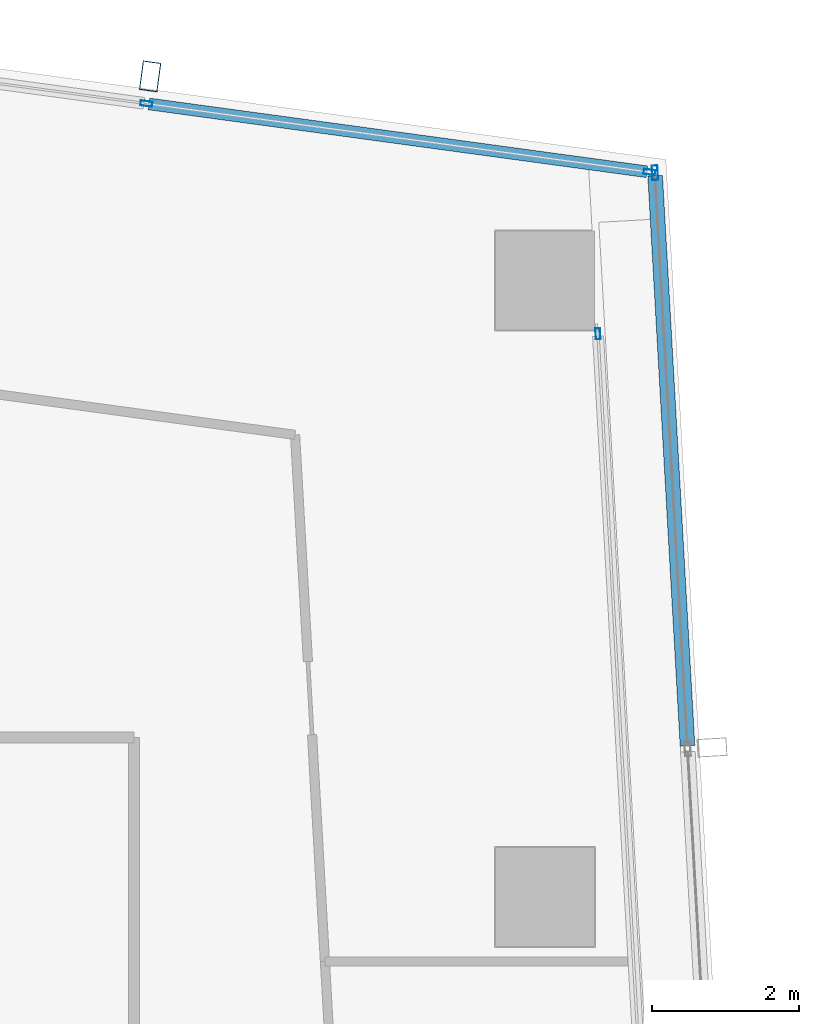
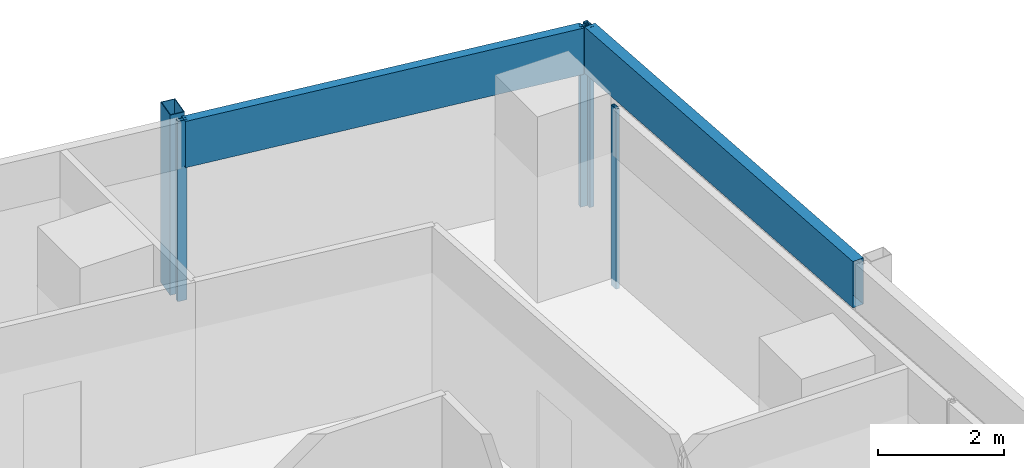
# One storey, part 24 of 38: 7 members, 3 elements without a shape of their own.
"""IFC4 building model written with IfcOpenShell, lengths in metres."""

from ifc_helpers import new_model, si_unit, direction, frame, origin, origin_2d, place, context, subcontext, project, spatial, hollow_rectangle, extrude, material, material_profile, profile_set, type_object, element, aggregate, save


model = new_model("IFC4")

# Units and contexts
model_context = context("Model", 3, precision=1e-05, world=origin(), true_north=direction((0.0, 1.0)))
body_context = subcontext(model_context, "Body", "Model", "MODEL_VIEW")
ifc_project = project(units=[si_unit("LENGTHUNIT", "METRE"), si_unit("AREAUNIT", "SQUARE_METRE"), si_unit("VOLUMEUNIT", "CUBIC_METRE"), si_unit("PLANEANGLEUNIT", "RADIAN"), si_unit("MASSUNIT", "GRAM", prefix="KILO")], contexts=[model_context])

# Site, building, storey
site_placement = place(None, origin())
site = spatial("IfcSite", under=ifc_project, at=site_placement, CompositionType="ELEMENT")
building_placement = place(site_placement, origin())
building = spatial("IfcBuilding", under=site, at=building_placement, Name="Rekha Terrace Tower", CompositionType="ELEMENT")
storey_placement = place(building_placement, frame((0.0, 0.0, 202.699951171875)))
storey = spatial("IfcBuildingStorey", under=building, at=storey_placement, Name="L51", CompositionType="ELEMENT", Elevation=202.699951171875)

# Curtain wall, member
ifc_material_1 = material(Name="Aluminium framing", Category="aluminium")
curtain_wall_type_1 = type_object("IfcCurtainWallType", Name="CW3 north unitised glazing", PredefinedType="USERDEFINED", material=ifc_material_1)
curtain_wall_1_placement = place(storey_placement, origin())
curtain_wall_1 = element("IfcCurtainWall", 1, at=curtain_wall_1_placement, inside=storey, type_object=curtain_wall_type_1, Name="CW3 unitised curtain wall", ObjectType="UNITISED CURTAIN WALL", PredefinedType="USERDEFINED")
ifc_material_2 = material(Name="Steel S355 with fluorocarbon finish", Category="steel")
ifc_material_profile_1 = material_profile(ifc_material_2, hollow_rectangle(XDim=0.25, YDim=0.39990234375, WallThickness=0.012451171875, at=origin_2d()), Name="RHS400x250x12.5")
ifc_profile_set_1 = profile_set([ifc_material_profile_1], Name="Steel S355 with fluorocarbon finish")
member_type_1 = type_object("IfcMemberType", Name="BL1 facade blade RHS 400 x 250", PredefinedType="USERDEFINED", material=ifc_profile_set_1)
member_1_placement = place(storey_placement, frame((53.419921875, 61.583251953125, 0.0), z_axis=(0.0, 0.0, 1.0), x_axis=(-0.990867309488, 0.134840553943, 0.0)))
member_1 = element("IfcMember", 2, at=member_1_placement, type_object=member_type_1, Name="Facade blade", ObjectType="FACADE BLADE", PredefinedType="USERDEFINED", context=body_context, shape_type="SweptSolid", body=[
    extrude(hollow_rectangle(XDim=0.25, YDim=0.39990234375, WallThickness=0.012451171875, at=origin_2d()), origin(), (0.0, 0.0, 1.0), 3.5),
])

curtain_wall_type_2 = type_object("IfcCurtainWallType", Name="CW1 double skin inner glazing", PredefinedType="USERDEFINED", material=ifc_material_1)
curtain_wall_2_placement = place(storey_placement, origin())
curtain_wall_2 = element("IfcCurtainWall", 3, at=curtain_wall_2_placement, inside=storey, type_object=curtain_wall_type_2, Name="CW1 double skin inner glazing", ObjectType="DOUBLE SKIN INNER GLAZING", PredefinedType="USERDEFINED")
ifc_material_3 = material(Name="Aluminium mullion section", Category="aluminium")
ifc_material_profile_2 = material_profile(ifc_material_3, hollow_rectangle(XDim=0.06494140625, YDim=0.14990234375, WallThickness=0.00390625, at=origin_2d()), Name="AL RHS 65x150")
ifc_profile_set_2 = profile_set([ifc_material_profile_2], Name="Aluminium mullion section")
member_type_2 = type_object("IfcMemberType", Name="CW1 mullion RHS 65 x 150", PredefinedType="MULLION", material=ifc_profile_set_2)
member_2_placement = place(storey_placement, frame((59.523193359375, 58.0751953125, 0.0), z_axis=(0.0, 0.0, 1.0), x_axis=(-0.998392782919, -0.05667319486, 0.0)))
member_2 = element("IfcMember", 4, at=member_2_placement, type_object=member_type_2, Name="CW1 mullion 4", PredefinedType="MULLION", context=body_context, shape_type="SweptSolid", body=[
    extrude(hollow_rectangle(XDim=0.06494140625, YDim=0.14990234375, WallThickness=0.00390625, at=origin_2d()), origin(), (0.0, 0.0, 1.0), 3.5),
])
aggregate(curtain_wall_2, [member_2])

# Curtain wall, members
curtain_wall_type_3 = type_object("IfcCurtainWallType", Name="CW2 double skin outer glazing", PredefinedType="USERDEFINED", material=ifc_material_1)
curtain_wall_3_placement = place(storey_placement, origin())
curtain_wall_3 = element("IfcCurtainWall", 5, at=curtain_wall_3_placement, inside=storey, type_object=curtain_wall_type_3, Name="CW2 double skin outer glazing", ObjectType="DOUBLE SKIN OUTER GLAZING", PredefinedType="USERDEFINED")
ifc_material_profile_3 = material_profile(ifc_material_3, hollow_rectangle(XDim=0.080078125, YDim=0.199951171875, WallThickness=0.00390625, at=origin_2d()), Name="AL RHS 80x200")
ifc_profile_set_3 = profile_set([ifc_material_profile_3], Name="Aluminium mullion section")
member_type_3 = type_object("IfcMemberType", Name="CW2 mullion RHS 80 x 200", PredefinedType="MULLION", material=ifc_profile_set_3)
member_3_placement = place(storey_placement, frame((60.300048828125, 60.269287109375, 0.0), z_axis=(0.0, 0.0, 1.0), x_axis=(-0.998392782919, -0.05667319486, 0.0)))
member_3 = element("IfcMember", 6, at=member_3_placement, type_object=member_type_3, Name="CW2 mullion 5", PredefinedType="MULLION", context=body_context, shape_type="SweptSolid", body=[
    extrude(hollow_rectangle(XDim=0.080078125, YDim=0.199951171875, WallThickness=0.00390625, at=origin_2d()), origin(), (0.0, 0.0, 1.0), 3.5),
])
ifc_material_4 = material(Name="Insulated aluminium spandrel box", Category="aluminium")
ifc_material_profile_4 = material_profile(ifc_material_4, hollow_rectangle(XDim=0.199951171875, YDim=0.89990234375, WallThickness=0.0029296875, at=origin_2d()), Name="AL SPANDREL BOX 200x900")
ifc_profile_set_4 = profile_set([ifc_material_profile_4], Name="Insulated aluminium spandrel box")
member_type_4 = type_object("IfcMemberType", Name="CW2 spandrel transom 200 x 900", PredefinedType="USERDEFINED", material=ifc_profile_set_4)
member_4_placement = place(storey_placement, frame((60.743408203125, 52.45849609375, 3.050048828125), z_axis=(-0.05667908121, 0.998392448766, 0.0), x_axis=(-0.998392448766, -0.05667908121, 0.0)))
member_4 = element("IfcMember", 7, at=member_4_placement, type_object=member_type_4, Name="CW2 spandrel transom 4", ObjectType="TRANSOM", PredefinedType="USERDEFINED", context=body_context, shape_type="SweptSolid", body=[
    extrude(hollow_rectangle(XDim=0.199951171875, YDim=0.89990234375, WallThickness=0.0029296875, at=origin_2d()), origin(), (0.0, 0.0, 1.0), 7.783447265625),
])
aggregate(curtain_wall_3, [member_3, member_4])

# Member
ifc_material_profile_5 = material_profile(ifc_material_3, hollow_rectangle(XDim=0.070068359375, YDim=0.159912109375, WallThickness=0.00390625, at=origin_2d()), Name="AL RHS 70x160")
ifc_profile_set_5 = profile_set([ifc_material_profile_5], Name="Aluminium mullion section")
member_type_5 = type_object("IfcMemberType", Name="CW3 mullion RHS 70 x 160", PredefinedType="MULLION", material=ifc_profile_set_5)
member_5_placement = place(storey_placement, frame((60.22509765625, 60.27880859375, 0.0), z_axis=(0.0, 0.0, 1.0), x_axis=(-0.134840840416, -0.990867270504, 0.0)))
member_5 = element("IfcMember", 8, at=member_5_placement, type_object=member_type_5, Name="CW3 mullion 1", PredefinedType="MULLION", context=body_context, shape_type="SweptSolid", body=[
    extrude(hollow_rectangle(XDim=0.070068359375, YDim=0.159912109375, WallThickness=0.00390625, at=origin_2d()), origin(), (0.0, 0.0, 1.0), 3.5),
])

member_6_placement = place(storey_placement, frame((53.369384765625, 61.211669921875, 0.0), z_axis=(0.0, 0.0, 1.0), x_axis=(-0.134840840416, -0.990867270504, 0.0)))
member_6 = element("IfcMember", 9, at=member_6_placement, type_object=member_type_5, Name="CW3 mullion 2", PredefinedType="MULLION", context=body_context, shape_type="SweptSolid", body=[
    extrude(hollow_rectangle(XDim=0.070068359375, YDim=0.159912109375, WallThickness=0.00390625, at=origin_2d()), origin(), (0.0, 0.0, 1.0), 3.5),
])

ifc_material_profile_6 = material_profile(ifc_material_4, hollow_rectangle(XDim=0.159912109375, YDim=0.89990234375, WallThickness=0.0029296875, at=origin_2d()), Name="AL SPANDREL BOX 160x900")
ifc_profile_set_6 = profile_set([ifc_material_profile_6], Name="Insulated aluminium spandrel box")
member_type_6 = type_object("IfcMemberType", Name="CW3 spandrel transom 160 x 900", PredefinedType="USERDEFINED", material=ifc_profile_set_6)
member_7_placement = place(storey_placement, frame((60.190185546875, 60.283447265625, 3.050048828125), z_axis=(-0.990865276141, 0.134855495022, 0.0), x_axis=(-0.134855495022, -0.990865276141, 0.0)))
member_7 = element("IfcMember", 10, at=member_7_placement, type_object=member_type_6, Name="CW3 spandrel transom 1", ObjectType="TRANSOM", PredefinedType="USERDEFINED", context=body_context, shape_type="SweptSolid", body=[
    extrude(hollow_rectangle(XDim=0.159912109375, YDim=0.89990234375, WallThickness=0.0029296875, at=origin_2d()), origin(), (0.0, 0.0, 1.0), 6.8486328125),
])

aggregate(curtain_wall_1, [member_5, member_6, member_7, member_1])

save(model, "model.ifc")
